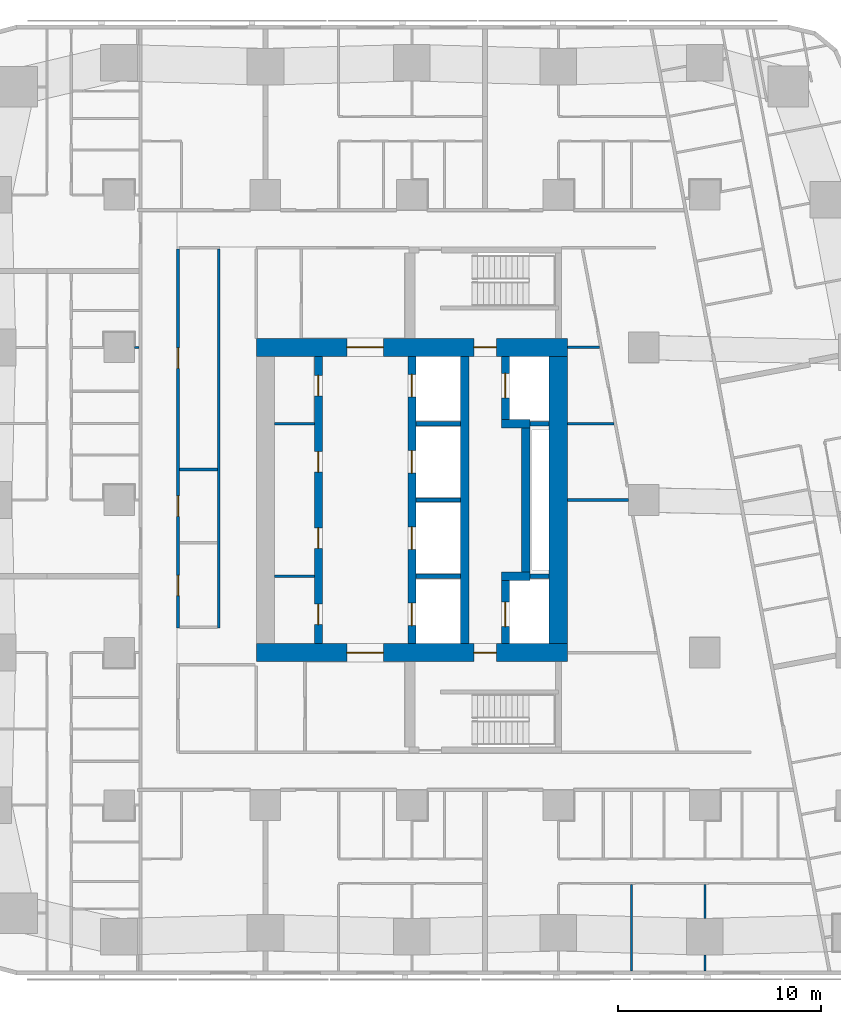
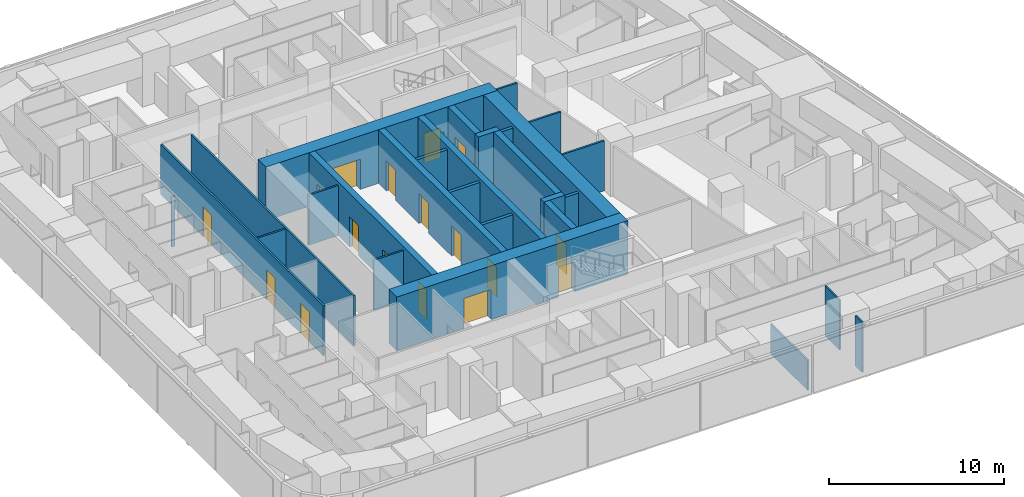
# One storey, part 5 of 15: 28 walls, 17 doors, 17 openings.
"""IFC4 building model written with IfcOpenShell, lengths in metres."""

from ifc_helpers import new_model, si_unit, direction, frame, frame_2d, origin, place, context, subcontext, project, spatial, rectangle, extrude, material, layer, layer_set, type_object, element, fill, save


model = new_model("IFC4")

# Units and contexts
model_context = context("Model", 3, precision=1e-05, world=origin(), true_north=direction((0.0, 1.0)))
body_context = subcontext(model_context, "Body", "Model", "MODEL_VIEW")
ifc_project = project(units=[si_unit("LENGTHUNIT", "METRE"), si_unit("AREAUNIT", "SQUARE_METRE"), si_unit("VOLUMEUNIT", "CUBIC_METRE"), si_unit("PLANEANGLEUNIT", "RADIAN"), si_unit("MASSUNIT", "GRAM", prefix="KILO")], contexts=[model_context])

# Site, building, storey
site_placement = place(None, origin())
site = spatial("IfcSite", under=ifc_project, at=site_placement, CompositionType="ELEMENT")
building_placement = place(site_placement, origin())
building = spatial("IfcBuilding", under=site, at=building_placement, Name="Sheger Commons Tower", CompositionType="ELEMENT")
storey_placement = place(building_placement, frame((0.0, 0.0, 147.050048828125)))
storey = spatial("IfcBuildingStorey", under=building, at=storey_placement, Name="L37", CompositionType="ELEMENT", Elevation=147.050048828125)

# Wall, openings, doors
ifc_material_1 = material(Name="Concrete C50/60", Category="concrete")
ifc_layer_1 = layer(ifc_material_1, 0.39990234375)
ifc_layer_set_1 = layer_set([ifc_layer_1], Name="CORE INNER WALL 400")
wall_type_1 = type_object("IfcWallType", Name="CORE INNER WALL 400", PredefinedType="SHEAR", material=ifc_layer_set_1)
wall_1_placement = place(storey_placement, frame((17.0, 15.449951171875, 0.0), z_axis=(0.0, 0.0, 1.0), x_axis=(0.0, 1.0, 0.0)))
wall_1 = element("IfcWall", 1, at=wall_1_placement, inside=storey, type_object=wall_type_1, Name="Core inner wall A L37", PredefinedType="SHEAR", context=body_context, shape_type="SweptSolid", body=[
    extrude(rectangle(XDim=14.10009765625, YDim=0.39990234375, at=frame_2d((7.050048828125, 0.0))), origin(), (0.0, 0.0, 1.0), 3.75),
])
opening_1_placement = place(wall_1_placement, frame((0.925048828125, 0.0, 0.0)))
opening_1 = element("IfcOpeningElement", 2, at=opening_1_placement, cuts=wall_1, Name="Opening D4", PredefinedType="OPENING", context=body_context, shape_type="SweptSolid", body=[
    extrude(rectangle(XDim=1.0, YDim=2.10009765625, at=frame_2d((0.5, 1.050048828125))), frame((0.0, 0.2099609375, 0.0), z_axis=(0.0, -1.0, 0.0), x_axis=(1.0, 0.0, 0.0)), (0.0, 0.0, 1.0), 0.419921875),
])
opening_2_placement = place(wall_1_placement, frame((4.675048828125, 0.0, 0.0)))
opening_2 = element("IfcOpeningElement", 3, at=opening_2_placement, cuts=wall_1, Name="Opening D4", PredefinedType="OPENING", context=body_context, shape_type="SweptSolid", body=[
    extrude(rectangle(XDim=1.0, YDim=2.10009765625, at=frame_2d((0.5, 1.050048828125))), frame((0.0, 0.2099609375, 0.0), z_axis=(0.0, -1.0, 0.0), x_axis=(1.0, 0.0, 0.0)), (0.0, 0.0, 1.0), 0.419921875),
])
opening_3_placement = place(wall_1_placement, frame((8.425048828125, 0.0, 0.0)))
opening_3 = element("IfcOpeningElement", 4, at=opening_3_placement, cuts=wall_1, Name="Opening D4", PredefinedType="OPENING", context=body_context, shape_type="SweptSolid", body=[
    extrude(rectangle(XDim=1.0, YDim=2.10009765625, at=frame_2d((0.5, 1.050048828125))), frame((0.0, 0.2099609375, 0.0), z_axis=(0.0, -1.0, 0.0), x_axis=(1.0, 0.0, 0.0)), (0.0, 0.0, 1.0), 0.419921875),
])
opening_4_placement = place(wall_1_placement, frame((12.175048828125, 0.0, 0.0)))
opening_4 = element("IfcOpeningElement", 5, at=opening_4_placement, cuts=wall_1, Name="Opening D4", PredefinedType="OPENING", context=body_context, shape_type="SweptSolid", body=[
    extrude(rectangle(XDim=1.0, YDim=2.10009765625, at=frame_2d((0.5, 1.050048828125))), frame((0.0, 0.2099609375, 0.0), z_axis=(0.0, -1.0, 0.0), x_axis=(1.0, 0.0, 0.0)), (0.0, 0.0, 1.0), 0.419921875),
])
ifc_material_2 = material(Name="Steel door set, fire rated", Category="steel")
door_type_1 = type_object("IfcDoorType", Name="SERVICE DOOR 1000x2100", OperationType="NOTDEFINED", PredefinedType="DOOR", material=ifc_material_2)
door_1_placement = place(opening_1_placement, origin())
door_1 = element("IfcDoor", 6, at=door_1_placement, inside=storey, type_object=door_type_1, Name="Estate store door", OperationType="SINGLE_SWING_LEFT", OverallHeight=2.10009765625, OverallWidth=1.0, PredefinedType="DOOR", context=body_context, shape_type="SweptSolid", body=[
    extrude(rectangle(XDim=1.0, YDim=2.10009765625, at=frame_2d((0.5, 1.050048828125))), frame((0.0, 0.02490234375, 0.0), z_axis=(0.0, -1.0, 0.0), x_axis=(1.0, 0.0, 0.0)), (0.0, 0.0, 1.0), 0.050048828125),
])
fill(opening_1, door_1)
door_2_placement = place(opening_2_placement, origin())
door_2 = element("IfcDoor", 7, at=door_2_placement, inside=storey, type_object=door_type_1, Name="Bulky waste store door", OperationType="SINGLE_SWING_LEFT", OverallHeight=2.10009765625, OverallWidth=1.0, PredefinedType="DOOR", context=body_context, shape_type="SweptSolid", body=[
    extrude(rectangle(XDim=1.0, YDim=2.10009765625, at=frame_2d((0.5, 1.050048828125))), frame((0.0, 0.02490234375, 0.0), z_axis=(0.0, -1.0, 0.0), x_axis=(1.0, 0.0, 0.0)), (0.0, 0.0, 1.0), 0.050048828125),
])
fill(opening_2, door_2)
door_3_placement = place(opening_3_placement, origin())
door_3 = element("IfcDoor", 8, at=door_3_placement, inside=storey, type_object=door_type_1, Name="Bulky waste store door", OperationType="SINGLE_SWING_RIGHT", OverallHeight=2.10009765625, OverallWidth=1.0, PredefinedType="DOOR", context=body_context, shape_type="SweptSolid", body=[
    extrude(rectangle(XDim=1.0, YDim=2.10009765625, at=frame_2d((0.5, 1.050048828125))), frame((0.0, 0.02490234375, 0.0), z_axis=(0.0, -1.0, 0.0), x_axis=(1.0, 0.0, 0.0)), (0.0, 0.0, 1.0), 0.050048828125),
])
fill(opening_3, door_3)
door_4_placement = place(opening_4_placement, origin())
door_4 = element("IfcDoor", 9, at=door_4_placement, inside=storey, type_object=door_type_1, Name="Staff WC door", OperationType="SINGLE_SWING_RIGHT", OverallHeight=2.10009765625, OverallWidth=1.0, PredefinedType="DOOR", context=body_context, shape_type="SweptSolid", body=[
    extrude(rectangle(XDim=1.0, YDim=2.10009765625, at=frame_2d((0.5, 1.050048828125))), frame((0.0, 0.02490234375, 0.0), z_axis=(0.0, -1.0, 0.0), x_axis=(1.0, 0.0, 0.0)), (0.0, 0.0, 1.0), 0.050048828125),
])
fill(opening_4, door_4)

wall_2_placement = place(storey_placement, frame((21.60009765625, 15.449951171875, 0.0), z_axis=(0.0, 0.0, 1.0), x_axis=(0.0, 1.0, 0.0)))
wall_2 = element("IfcWall", 10, at=wall_2_placement, inside=storey, type_object=wall_type_1, Name="Core inner wall L L37", PredefinedType="SHEAR", context=body_context, shape_type="SweptSolid", body=[
    extrude(rectangle(XDim=14.10009765625, YDim=0.39990234375, at=frame_2d((7.050048828125, 0.0))), origin(), (0.0, 0.0, 1.0), 3.75),
])
opening_5_placement = place(wall_2_placement, frame((0.875, 0.0, 0.0)))
opening_5 = element("IfcOpeningElement", 11, at=opening_5_placement, cuts=wall_2, Name="Opening LD", PredefinedType="OPENING", context=body_context, shape_type="SweptSolid", body=[
    extrude(rectangle(XDim=1.10009765625, YDim=2.10009765625, at=frame_2d((0.550048828125, 1.050048828125))), frame((0.0, 0.2099609375, 0.0), z_axis=(0.0, -1.0, 0.0), x_axis=(1.0, 0.0, 0.0)), (0.0, 0.0, 1.0), 0.419921875),
])
opening_6_placement = place(wall_2_placement, frame((4.625, 0.0, 0.0)))
opening_6 = element("IfcOpeningElement", 12, at=opening_6_placement, cuts=wall_2, Name="Opening LD", PredefinedType="OPENING", context=body_context, shape_type="SweptSolid", body=[
    extrude(rectangle(XDim=1.10009765625, YDim=2.10009765625, at=frame_2d((0.550048828125, 1.050048828125))), frame((0.0, 0.2099609375, 0.0), z_axis=(0.0, -1.0, 0.0), x_axis=(1.0, 0.0, 0.0)), (0.0, 0.0, 1.0), 0.419921875),
])
opening_7_placement = place(wall_2_placement, frame((8.375, 0.0, 0.0)))
opening_7 = element("IfcOpeningElement", 13, at=opening_7_placement, cuts=wall_2, Name="Opening LD", PredefinedType="OPENING", context=body_context, shape_type="SweptSolid", body=[
    extrude(rectangle(XDim=1.10009765625, YDim=2.10009765625, at=frame_2d((0.550048828125, 1.050048828125))), frame((0.0, 0.2099609375, 0.0), z_axis=(0.0, -1.0, 0.0), x_axis=(1.0, 0.0, 0.0)), (0.0, 0.0, 1.0), 0.419921875),
])
opening_8_placement = place(wall_2_placement, frame((12.125, 0.0, 0.0)))
opening_8 = element("IfcOpeningElement", 14, at=opening_8_placement, cuts=wall_2, Name="Opening LD", PredefinedType="OPENING", context=body_context, shape_type="SweptSolid", body=[
    extrude(rectangle(XDim=1.10009765625, YDim=2.10009765625, at=frame_2d((0.550048828125, 1.050048828125))), frame((0.0, 0.2099609375, 0.0), z_axis=(0.0, -1.0, 0.0), x_axis=(1.0, 0.0, 0.0)), (0.0, 0.0, 1.0), 0.419921875),
])
ifc_material_3 = material(Name="Steel door set, fire rated", Category="steel")
door_type_2 = type_object("IfcDoorType", Name="LIFT LANDING DOOR 1100x2100", OperationType="DOUBLE_DOOR_SLIDING", PredefinedType="DOOR", material=ifc_material_3)
door_5_placement = place(opening_5_placement, origin())
door_5 = element("IfcDoor", 15, at=door_5_placement, inside=storey, type_object=door_type_2, Name="Lift LB1 landing door", OperationType="DOUBLE_DOOR_SLIDING", OverallHeight=2.10009765625, OverallWidth=1.10009765625, PredefinedType="DOOR", context=body_context, shape_type="SweptSolid", body=[
    extrude(rectangle(XDim=1.10009765625, YDim=2.10009765625, at=frame_2d((0.550048828125, 1.050048828125))), frame((0.0, 0.02490234375, 0.0), z_axis=(0.0, -1.0, 0.0), x_axis=(1.0, 0.0, 0.0)), (0.0, 0.0, 1.0), 0.050048828125),
])
fill(opening_5, door_5)
door_6_placement = place(opening_6_placement, origin())
door_6 = element("IfcDoor", 16, at=door_6_placement, inside=storey, type_object=door_type_2, Name="Lift LB2 landing door", OperationType="DOUBLE_DOOR_SLIDING", OverallHeight=2.10009765625, OverallWidth=1.10009765625, PredefinedType="DOOR", context=body_context, shape_type="SweptSolid", body=[
    extrude(rectangle(XDim=1.10009765625, YDim=2.10009765625, at=frame_2d((0.550048828125, 1.050048828125))), frame((0.0, 0.02490234375, 0.0), z_axis=(0.0, -1.0, 0.0), x_axis=(1.0, 0.0, 0.0)), (0.0, 0.0, 1.0), 0.050048828125),
])
fill(opening_6, door_6)
door_7_placement = place(opening_7_placement, origin())
door_7 = element("IfcDoor", 17, at=door_7_placement, inside=storey, type_object=door_type_2, Name="Lift LB3 landing door", OperationType="DOUBLE_DOOR_SLIDING", OverallHeight=2.10009765625, OverallWidth=1.10009765625, PredefinedType="DOOR", context=body_context, shape_type="SweptSolid", body=[
    extrude(rectangle(XDim=1.10009765625, YDim=2.10009765625, at=frame_2d((0.550048828125, 1.050048828125))), frame((0.0, 0.02490234375, 0.0), z_axis=(0.0, -1.0, 0.0), x_axis=(1.0, 0.0, 0.0)), (0.0, 0.0, 1.0), 0.050048828125),
])
fill(opening_7, door_7)
door_8_placement = place(opening_8_placement, origin())
door_8 = element("IfcDoor", 18, at=door_8_placement, inside=storey, type_object=door_type_2, Name="Lift LB4 landing door", OperationType="DOUBLE_DOOR_SLIDING", OverallHeight=2.10009765625, OverallWidth=1.10009765625, PredefinedType="DOOR", context=body_context, shape_type="SweptSolid", body=[
    extrude(rectangle(XDim=1.10009765625, YDim=2.10009765625, at=frame_2d((0.550048828125, 1.050048828125))), frame((0.0, 0.02490234375, 0.0), z_axis=(0.0, -1.0, 0.0), x_axis=(1.0, 0.0, 0.0)), (0.0, 0.0, 1.0), 0.050048828125),
])
fill(opening_8, door_8)

# Wall
wall_3_placement = place(storey_placement, frame((24.199951171875, 15.449951171875, 0.0), z_axis=(0.0, 0.0, 1.0), x_axis=(0.0, 1.0, 0.0)))
element("IfcWall", 19, at=wall_3_placement, inside=storey, type_object=wall_type_1, Name="Core inner wall B L37", PredefinedType="SHEAR", context=body_context, shape_type="SweptSolid", body=[
    extrude(rectangle(XDim=14.10009765625, YDim=0.39990234375, at=frame_2d((7.050048828125, 0.0))), origin(), (0.0, 0.0, 1.0), 3.75),
])

# Wall, opening, door
wall_4_placement = place(storey_placement, frame((26.199951171875, 15.449951171875, 0.0), z_axis=(0.0, 0.0, 1.0), x_axis=(0.0, 1.0, 0.0)))
wall_4 = element("IfcWall", 20, at=wall_4_placement, inside=storey, type_object=wall_type_1, Name="Core inner wall F L37", PredefinedType="SHEAR", context=body_context, shape_type="SweptSolid", body=[
    extrude(rectangle(XDim=3.10009765625, YDim=0.39990234375, at=frame_2d((1.550048828125, 0.0))), origin(), (0.0, 0.0, 1.0), 3.75),
])
opening_9_placement = place(wall_4_placement, frame((0.824951171875, 0.0, 0.0)))
opening_9 = element("IfcOpeningElement", 21, at=opening_9_placement, cuts=wall_4, Name="Opening LD2", PredefinedType="OPENING", context=body_context, shape_type="SweptSolid", body=[
    extrude(rectangle(XDim=1.199951171875, YDim=2.10009765625, at=frame_2d((0.60009765625, 1.050048828125))), frame((0.0, 0.2099609375, 0.0), z_axis=(0.0, -1.0, 0.0), x_axis=(1.0, 0.0, 0.0)), (0.0, 0.0, 1.0), 0.419921875),
])
ifc_material_4 = material(Name="Steel door set, fire rated", Category="steel")
door_type_3 = type_object("IfcDoorType", Name="FIREFIGHTING LIFT LANDING DOOR 1200x2100", OperationType="DOUBLE_DOOR_SLIDING", PredefinedType="DOOR", material=ifc_material_4)
door_9_placement = place(opening_9_placement, origin())
door_9 = element("IfcDoor", 22, at=door_9_placement, inside=storey, type_object=door_type_3, Name="Lift FL1 landing door", OperationType="DOUBLE_DOOR_SLIDING", OverallHeight=2.10009765625, OverallWidth=1.199951171875, PredefinedType="DOOR", context=body_context, shape_type="SweptSolid", body=[
    extrude(rectangle(XDim=1.199951171875, YDim=2.10009765625, at=frame_2d((0.60009765625, 1.050048828125))), frame((0.0, 0.02490234375, 0.0), z_axis=(0.0, -1.0, 0.0), x_axis=(1.0, 0.0, 0.0)), (0.0, 0.0, 1.0), 0.050048828125),
])
fill(opening_9, door_9)

# Walls
wall_5_placement = place(storey_placement, frame((26.0, 18.75, 0.0), z_axis=(0.0, 0.0, 1.0), x_axis=(1.0, 0.0, 0.0)))
element("IfcWall", 23, at=wall_5_placement, inside=storey, type_object=wall_type_1, Name="Core inner wall F south return L37", PredefinedType="SHEAR", context=body_context, shape_type="SweptSolid", body=[
    extrude(rectangle(XDim=1.39990234375, YDim=0.39990234375, at=frame_2d((0.699951171875, 0.0))), origin(), (0.0, 0.0, 1.0), 3.75),
])
wall_6_placement = place(storey_placement, frame((27.199951171875, 18.949951171875, 0.0), z_axis=(0.0, 0.0, 1.0), x_axis=(0.0, 1.0, 0.0)))
element("IfcWall", 24, at=wall_6_placement, inside=storey, type_object=wall_type_1, Name="Core inner wall F middle L37", PredefinedType="SHEAR", context=body_context, shape_type="SweptSolid", body=[
    extrude(rectangle(XDim=7.10009765625, YDim=0.39990234375, at=frame_2d((3.550048828125, 0.0))), origin(), (0.0, 0.0, 1.0), 3.75),
])
wall_7_placement = place(storey_placement, frame((26.0, 26.25, 0.0), z_axis=(0.0, 0.0, 1.0), x_axis=(1.0, 0.0, 0.0)))
element("IfcWall", 25, at=wall_7_placement, inside=storey, type_object=wall_type_1, Name="Core inner wall F north return L37", PredefinedType="SHEAR", context=body_context, shape_type="SweptSolid", body=[
    extrude(rectangle(XDim=1.39990234375, YDim=0.39990234375, at=frame_2d((0.699951171875, 0.0))), origin(), (0.0, 0.0, 1.0), 3.75),
])

# Wall, opening, door
wall_8_placement = place(storey_placement, frame((26.199951171875, 26.449951171875, 0.0), z_axis=(0.0, 0.0, 1.0), x_axis=(0.0, 1.0, 0.0)))
wall_8 = element("IfcWall", 26, at=wall_8_placement, inside=storey, type_object=wall_type_1, Name="Core inner wall F north L37", PredefinedType="SHEAR", context=body_context, shape_type="SweptSolid", body=[
    extrude(rectangle(XDim=3.10009765625, YDim=0.39990234375, at=frame_2d((1.550048828125, 0.0))), origin(), (0.0, 0.0, 1.0), 3.75),
])
opening_10_placement = place(wall_8_placement, frame((1.074951171875, 0.0, 0.0)))
opening_10 = element("IfcOpeningElement", 27, at=opening_10_placement, cuts=wall_8, Name="Opening LD2", PredefinedType="OPENING", context=body_context, shape_type="SweptSolid", body=[
    extrude(rectangle(XDim=1.199951171875, YDim=2.10009765625, at=frame_2d((0.60009765625, 1.050048828125))), frame((0.0, 0.2099609375, 0.0), z_axis=(0.0, -1.0, 0.0), x_axis=(1.0, 0.0, 0.0)), (0.0, 0.0, 1.0), 0.419921875),
])
door_10_placement = place(opening_10_placement, origin())
door_10 = element("IfcDoor", 28, at=door_10_placement, inside=storey, type_object=door_type_3, Name="Lift FL2 landing door", OperationType="DOUBLE_DOOR_SLIDING", OverallHeight=2.10009765625, OverallWidth=1.199951171875, PredefinedType="DOOR", context=body_context, shape_type="SweptSolid", body=[
    extrude(rectangle(XDim=1.199951171875, YDim=2.10009765625, at=frame_2d((0.60009765625, 1.050048828125))), frame((0.0, 0.02490234375, 0.0), z_axis=(0.0, -1.0, 0.0), x_axis=(1.0, 0.0, 0.0)), (0.0, 0.0, 1.0), 0.050048828125),
])
fill(opening_10, door_10)

# Wall, openings, doors
ifc_material_5 = material(Name="Concrete C50/60", Category="concrete")
ifc_layer_2 = layer(ifc_material_5, 0.89990234375)
ifc_layer_set_2 = layer_set([ifc_layer_2], Name="CORE WALL 900")
wall_type_2 = type_object("IfcWallType", Name="CORE WALL 900", PredefinedType="SHEAR", material=ifc_layer_set_2)
wall_9_placement = place(storey_placement, frame((13.949951171875, 15.0, 0.0), z_axis=(0.0, 0.0, 1.0), x_axis=(1.0, 0.0, 0.0)))
wall_9 = element("IfcWall", 29, at=wall_9_placement, inside=storey, type_object=wall_type_2, Name="Core wall south L37", PredefinedType="SHEAR", context=body_context, shape_type="SweptSolid", body=[
    extrude(rectangle(XDim=15.300048828125, YDim=0.89990234375, at=frame_2d((7.64990234375, 0.0))), origin(), (0.0, 0.0, 1.0), 3.75),
])
opening_11_placement = place(wall_9_placement, frame((4.449951171875, 0.0, 0.0)))
opening_11 = element("IfcOpeningElement", 30, at=opening_11_placement, cuts=wall_9, Name="Opening D6", PredefinedType="OPENING", context=body_context, shape_type="SweptSolid", body=[
    extrude(rectangle(XDim=1.800048828125, YDim=2.10009765625, at=frame_2d((0.89990234375, 1.050048828125))), frame((0.0, 0.4599609375, 0.0), z_axis=(0.0, -1.0, 0.0), x_axis=(1.0, 0.0, 0.0)), (0.0, 0.0, 1.0), 0.919921875),
])
opening_12_placement = place(wall_9_placement, frame((10.699951171875, 0.0, 0.0)))
opening_12 = element("IfcOpeningElement", 31, at=opening_12_placement, cuts=wall_9, Name="Opening D5", PredefinedType="OPENING", context=body_context, shape_type="SweptSolid", body=[
    extrude(rectangle(XDim=1.10009765625, YDim=2.10009765625, at=frame_2d((0.550048828125, 1.050048828125))), frame((0.0, 0.4599609375, 0.0), z_axis=(0.0, -1.0, 0.0), x_axis=(1.0, 0.0, 0.0)), (0.0, 0.0, 1.0), 0.919921875),
])
ifc_material_6 = material(Name="Steel door set, fire rated", Category="steel")
door_type_4 = type_object("IfcDoorType", Name="LOBBY DOUBLE DOOR 1800x2100", OperationType="DOUBLE_DOOR_SINGLE_SWING", PredefinedType="DOOR", material=ifc_material_6)
door_11_placement = place(opening_11_placement, origin())
door_11 = element("IfcDoor", 32, at=door_11_placement, inside=storey, type_object=door_type_4, Name="Lift lobby door", OperationType="DOUBLE_DOOR_SINGLE_SWING", OverallHeight=2.10009765625, OverallWidth=1.800048828125, PredefinedType="DOOR", context=body_context, shape_type="SweptSolid", body=[
    extrude(rectangle(XDim=1.800048828125, YDim=2.10009765625, at=frame_2d((0.89990234375, 1.050048828125))), frame((0.0, 0.02490234375, 0.0), z_axis=(0.0, -1.0, 0.0), x_axis=(1.0, 0.0, 0.0)), (0.0, 0.0, 1.0), 0.050048828125),
])
fill(opening_11, door_11)
ifc_material_7 = material(Name="Steel door set, fire rated", Category="steel")
door_type_5 = type_object("IfcDoorType", Name="STAIR DOOR 1100x2100", OperationType="NOTDEFINED", PredefinedType="DOOR", material=ifc_material_7)
door_12_placement = place(opening_12_placement, origin())
door_12 = element("IfcDoor", 33, at=door_12_placement, inside=storey, type_object=door_type_5, Name="Fire-fighting lobby door", OperationType="SINGLE_SWING_RIGHT", OverallHeight=2.10009765625, OverallWidth=1.10009765625, PredefinedType="DOOR", context=body_context, shape_type="SweptSolid", body=[
    extrude(rectangle(XDim=1.10009765625, YDim=2.10009765625, at=frame_2d((0.550048828125, 1.050048828125))), frame((0.0, 0.02490234375, 0.0), z_axis=(0.0, -1.0, 0.0), x_axis=(1.0, 0.0, 0.0)), (0.0, 0.0, 1.0), 0.050048828125),
])
fill(opening_12, door_12)

wall_10_placement = place(storey_placement, frame((13.949951171875, 30.0, 0.0), z_axis=(0.0, 0.0, 1.0), x_axis=(1.0, 0.0, 0.0)))
wall_10 = element("IfcWall", 34, at=wall_10_placement, inside=storey, type_object=wall_type_2, Name="Core wall north L37", PredefinedType="SHEAR", context=body_context, shape_type="SweptSolid", body=[
    extrude(rectangle(XDim=15.300048828125, YDim=0.89990234375, at=frame_2d((7.64990234375, 0.0))), origin(), (0.0, 0.0, 1.0), 3.75),
])
opening_13_placement = place(wall_10_placement, frame((4.449951171875, 0.0, 0.0)))
opening_13 = element("IfcOpeningElement", 35, at=opening_13_placement, cuts=wall_10, Name="Opening D6", PredefinedType="OPENING", context=body_context, shape_type="SweptSolid", body=[
    extrude(rectangle(XDim=1.800048828125, YDim=2.10009765625, at=frame_2d((0.89990234375, 1.050048828125))), frame((0.0, 0.4599609375, 0.0), z_axis=(0.0, -1.0, 0.0), x_axis=(1.0, 0.0, 0.0)), (0.0, 0.0, 1.0), 0.919921875),
])
opening_14_placement = place(wall_10_placement, frame((10.699951171875, 0.0, 0.0)))
opening_14 = element("IfcOpeningElement", 36, at=opening_14_placement, cuts=wall_10, Name="Opening D5", PredefinedType="OPENING", context=body_context, shape_type="SweptSolid", body=[
    extrude(rectangle(XDim=1.10009765625, YDim=2.10009765625, at=frame_2d((0.550048828125, 1.050048828125))), frame((0.0, 0.4599609375, 0.0), z_axis=(0.0, -1.0, 0.0), x_axis=(1.0, 0.0, 0.0)), (0.0, 0.0, 1.0), 0.919921875),
])
door_13_placement = place(opening_13_placement, origin())
door_13 = element("IfcDoor", 37, at=door_13_placement, inside=storey, type_object=door_type_4, Name="Lift lobby door", OperationType="DOUBLE_DOOR_SINGLE_SWING", OverallHeight=2.10009765625, OverallWidth=1.800048828125, PredefinedType="DOOR", context=body_context, shape_type="SweptSolid", body=[
    extrude(rectangle(XDim=1.800048828125, YDim=2.10009765625, at=frame_2d((0.89990234375, 1.050048828125))), frame((0.0, 0.02490234375, 0.0), z_axis=(0.0, -1.0, 0.0), x_axis=(1.0, 0.0, 0.0)), (0.0, 0.0, 1.0), 0.050048828125),
])
fill(opening_13, door_13)
door_14_placement = place(opening_14_placement, origin())
door_14 = element("IfcDoor", 38, at=door_14_placement, inside=storey, type_object=door_type_5, Name="Fire-fighting lobby door", OperationType="SINGLE_SWING_RIGHT", OverallHeight=2.10009765625, OverallWidth=1.10009765625, PredefinedType="DOOR", context=body_context, shape_type="SweptSolid", body=[
    extrude(rectangle(XDim=1.10009765625, YDim=2.10009765625, at=frame_2d((0.550048828125, 1.050048828125))), frame((0.0, 0.02490234375, 0.0), z_axis=(0.0, -1.0, 0.0), x_axis=(1.0, 0.0, 0.0)), (0.0, 0.0, 1.0), 0.050048828125),
])
fill(opening_14, door_14)

# Walls
wall_11_placement = place(storey_placement, frame((28.800048828125, 15.449951171875, 0.0), z_axis=(0.0, 0.0, 1.0), x_axis=(0.0, 1.0, 0.0)))
element("IfcWall", 39, at=wall_11_placement, inside=storey, type_object=wall_type_2, Name="Core wall east L37", PredefinedType="SHEAR", context=body_context, shape_type="SweptSolid", body=[
    extrude(rectangle(XDim=14.10009765625, YDim=0.89990234375, at=frame_2d((7.050048828125, 0.0))), origin(), (0.0, 0.0, 1.0), 3.75),
])
ifc_material_8 = material(Name="Gypsum board on steel studs", Category="steel")
ifc_layer_3 = layer(ifc_material_8, 0.10009765625)
ifc_layer_set_3 = layer_set([ifc_layer_3], Name="PARTITION 100")
wall_type_3 = type_object("IfcWallType", Name="PARTITION 100", PredefinedType="PARTITIONING", material=ifc_layer_set_3)
wall_12_placement = place(storey_placement, frame((7.950927734375, 30.0, 0.0), z_axis=(0.0, 0.0, 1.0), x_axis=(1.0, 0.0, 0.0)))
element("IfcWall", 40, at=wall_12_placement, inside=storey, type_object=wall_type_3, Name="Partition L37", PredefinedType="PARTITIONING", context=body_context, shape_type="SweptSolid", body=[
    extrude(rectangle(XDim=0.22412109375, YDim=0.10009765625, at=frame_2d((0.112060546875, 0.0))), origin(), (0.0, 0.0, 1.0), 3.5),
])
wall_13_placement = place(storey_placement, frame((32.39990234375, -0.64990234375, 0.0), z_axis=(0.0, 0.0, 1.0), x_axis=(0.0, 1.0, 0.0)))
element("IfcWall", 41, at=wall_13_placement, inside=storey, type_object=wall_type_3, Name="Partition L37", PredefinedType="PARTITIONING", context=body_context, shape_type="SweptSolid", body=[
    extrude(rectangle(XDim=4.25, YDim=0.10009765625, at=frame_2d((2.125, 0.0))), origin(), (0.0, 0.0, 1.0), 2.099853515625),
])
wall_14_placement = place(storey_placement, frame((36.0, -0.64990234375, 0.0), z_axis=(0.0, 0.0, 1.0), x_axis=(0.0, 1.0, 0.0)))
element("IfcWall", 42, at=wall_14_placement, inside=storey, type_object=wall_type_3, Name="Partition L37", PredefinedType="PARTITIONING", context=body_context, shape_type="SweptSolid", body=[
    extrude(rectangle(XDim=0.77392578125, YDim=0.10009765625, at=frame_2d((0.386962890625, 0.0))), origin(), (0.0, 0.0, 1.0), 3.5),
])
wall_15_placement = place(storey_placement, frame((36.0, 1.926025390625, 0.0), z_axis=(0.0, 0.0, 1.0), x_axis=(0.0, 1.0, 0.0)))
element("IfcWall", 43, at=wall_15_placement, inside=storey, type_object=wall_type_3, Name="Partition L37", PredefinedType="PARTITIONING", context=body_context, shape_type="SweptSolid", body=[
    extrude(rectangle(XDim=1.674072265625, YDim=0.10009765625, at=frame_2d((0.8369140625, 0.0))), origin(), (0.0, 0.0, 1.0), 3.5),
])

# Wall, openings, doors
ifc_material_9 = material(Name="Gypsum board on steel studs, two layers each side, fire rated", Category="steel")
ifc_layer_4 = layer(ifc_material_9, 0.125)
ifc_layer_set_4 = layer_set([ifc_layer_4], Name="SERVICE WALL 125")
wall_type_4 = type_object("IfcWallType", Name="SERVICE WALL 125", PredefinedType="PARTITIONING", material=ifc_layer_set_4)
wall_16_placement = place(storey_placement, frame((10.10009765625, 16.199951171875, 0.0), z_axis=(0.0, 0.0, 1.0), x_axis=(0.0, 1.0, 0.0)))
wall_16 = element("IfcWall", 44, at=wall_16_placement, inside=storey, type_object=wall_type_4, Name="Service room wall L37", PredefinedType="PARTITIONING", context=body_context, shape_type="SweptSolid", body=[
    extrude(rectangle(XDim=18.637939453125, YDim=0.125, at=frame_2d((9.31884765625, 0.0))), origin(), (0.0, 0.0, 1.0), 3.5),
])
opening_15_placement = place(wall_16_placement, frame((1.60009765625, 0.0, 0.0)))
opening_15 = element("IfcOpeningElement", 45, at=opening_15_placement, cuts=wall_16, Name="Opening D4", PredefinedType="OPENING", context=body_context, shape_type="SweptSolid", body=[
    extrude(rectangle(XDim=1.0, YDim=2.10009765625, at=frame_2d((0.5, 1.050048828125))), frame((0.0, 0.072509765625, 0.0), z_axis=(0.0, -1.0, 0.0), x_axis=(1.0, 0.0, 0.0)), (0.0, 0.0, 1.0), 0.14501953125),
])
opening_16_placement = place(wall_16_placement, frame((5.5, 0.0, 0.0)))
opening_16 = element("IfcOpeningElement", 46, at=opening_16_placement, cuts=wall_16, Name="Opening D4", PredefinedType="OPENING", context=body_context, shape_type="SweptSolid", body=[
    extrude(rectangle(XDim=1.0, YDim=2.10009765625, at=frame_2d((0.5, 1.050048828125))), frame((0.0, 0.072509765625, 0.0), z_axis=(0.0, -1.0, 0.0), x_axis=(1.0, 0.0, 0.0)), (0.0, 0.0, 1.0), 0.14501953125),
])
opening_17_placement = place(wall_16_placement, frame((12.77490234375, 0.0, 0.0)))
opening_17 = element("IfcOpeningElement", 47, at=opening_17_placement, cuts=wall_16, Name="Opening D4", PredefinedType="OPENING", context=body_context, shape_type="SweptSolid", body=[
    extrude(rectangle(XDim=1.0, YDim=2.10009765625, at=frame_2d((0.5, 1.050048828125))), frame((0.0, 0.072509765625, 0.0), z_axis=(0.0, -1.0, 0.0), x_axis=(1.0, 0.0, 0.0)), (0.0, 0.0, 1.0), 0.14501953125),
])
door_15_placement = place(opening_15_placement, origin())
door_15 = element("IfcDoor", 48, at=door_15_placement, inside=storey, type_object=door_type_1, Name="Bicycle and pram store door", OperationType="SINGLE_SWING_RIGHT", OverallHeight=2.10009765625, OverallWidth=1.0, PredefinedType="DOOR", context=body_context, shape_type="SweptSolid", body=[
    extrude(rectangle(XDim=1.0, YDim=2.10009765625, at=frame_2d((0.5, 1.050048828125))), frame((0.0, 0.02490234375, 0.0), z_axis=(0.0, -1.0, 0.0), x_axis=(1.0, 0.0, 0.0)), (0.0, 0.0, 1.0), 0.050048828125),
])
fill(opening_15, door_15)
door_16_placement = place(opening_16_placement, origin())
door_16 = element("IfcDoor", 49, at=door_16_placement, inside=storey, type_object=door_type_1, Name="Residents' store door", OperationType="SINGLE_SWING_RIGHT", OverallHeight=2.10009765625, OverallWidth=1.0, PredefinedType="DOOR", context=body_context, shape_type="SweptSolid", body=[
    extrude(rectangle(XDim=1.0, YDim=2.10009765625, at=frame_2d((0.5, 1.050048828125))), frame((0.0, 0.02490234375, 0.0), z_axis=(0.0, -1.0, 0.0), x_axis=(1.0, 0.0, 0.0)), (0.0, 0.0, 1.0), 0.050048828125),
])
fill(opening_16, door_16)
door_17_placement = place(opening_17_placement, origin())
door_17 = element("IfcDoor", 50, at=door_17_placement, inside=storey, type_object=door_type_1, Name="Cleaner's store door", OperationType="SINGLE_SWING_LEFT", OverallHeight=2.10009765625, OverallWidth=1.0, PredefinedType="DOOR", context=body_context, shape_type="SweptSolid", body=[
    extrude(rectangle(XDim=1.0, YDim=2.10009765625, at=frame_2d((0.5, 1.050048828125))), frame((0.0, 0.02490234375, 0.0), z_axis=(0.0, -1.0, 0.0), x_axis=(1.0, 0.0, 0.0)), (0.0, 0.0, 1.0), 0.050048828125),
])
fill(opening_17, door_17)

# Walls
wall_17_placement = place(storey_placement, frame((10.162109375, 24.0, 0.0), z_axis=(0.0, 0.0, 1.0), x_axis=(1.0, 0.0, 0.0)))
element("IfcWall", 51, at=wall_17_placement, inside=storey, type_object=wall_type_4, Name="Service room wall L37", PredefinedType="PARTITIONING", context=body_context, shape_type="SweptSolid", body=[
    extrude(rectangle(XDim=1.875, YDim=0.125, at=frame_2d((0.9375, 0.0))), origin(), (0.0, 0.0, 1.0), 3.5),
])
wall_18_placement = place(storey_placement, frame((12.10009765625, 16.199951171875, 0.0), z_axis=(0.0, 0.0, 1.0), x_axis=(0.0, 1.0, 0.0)))
element("IfcWall", 52, at=wall_18_placement, inside=storey, type_object=wall_type_4, Name="Service room wall L37", PredefinedType="PARTITIONING", context=body_context, shape_type="SweptSolid", body=[
    extrude(rectangle(XDim=18.636962890625, YDim=0.125, at=frame_2d((9.318359375, 0.0))), origin(), (0.0, 0.0, 1.0), 3.5),
])
wall_19_placement = place(storey_placement, frame((29.25, 22.5, 0.0), z_axis=(0.0, 0.0, 1.0), x_axis=(1.0, 0.0, 0.0)))
element("IfcWall", 53, at=wall_19_placement, inside=storey, type_object=wall_type_4, Name="Service room wall L37", PredefinedType="PARTITIONING", context=body_context, shape_type="SweptSolid", body=[
    extrude(rectangle(XDim=2.99609375, YDim=0.125, at=frame_2d((1.498046875, 0.0))), origin(), (0.0, 0.0, 1.0), 3.5),
])
wall_20_placement = place(storey_placement, frame((29.25, 26.25, 0.0), z_axis=(0.0, 0.0, 1.0), x_axis=(1.0, 0.0, 0.0)))
element("IfcWall", 54, at=wall_20_placement, inside=storey, type_object=wall_type_4, Name="Service room wall L37", PredefinedType="PARTITIONING", context=body_context, shape_type="SweptSolid", body=[
    extrude(rectangle(XDim=2.2880859375, YDim=0.125, at=frame_2d((1.14404296875, 0.0))), origin(), (0.0, 0.0, 1.0), 3.5),
])
wall_21_placement = place(storey_placement, frame((29.25, 30.0, 0.0), z_axis=(0.0, 0.0, 1.0), x_axis=(1.0, 0.0, 0.0)))
element("IfcWall", 55, at=wall_21_placement, inside=storey, type_object=wall_type_4, Name="Service room wall L37", PredefinedType="PARTITIONING", context=body_context, shape_type="SweptSolid", body=[
    extrude(rectangle(XDim=1.5791015625, YDim=0.125, at=frame_2d((0.78955078125, 0.0))), origin(), (0.0, 0.0, 1.0), 3.5),
])
for number, where, z_axis, x_axis, name in (
    (56, (14.85009765625, 18.75, 0.0), (0.0, 0.0, 1.0), (1.0, 0.0, 0.0), "Service room wall L37"),
    (57, (14.85009765625, 26.25, 0.0), (0.0, 0.0, 1.0), (1.0, 0.0, 0.0), "Service room wall L37"),
):
    element("IfcWall", number, at=place(storey_placement, frame(where, z_axis=z_axis, x_axis=x_axis)), inside=storey, type_object=wall_type_4, Name=name, PredefinedType="PARTITIONING", context=body_context, shape_type="SweptSolid", body=[
        extrude(rectangle(XDim=1.949951171875, YDim=0.125, at=frame_2d((0.97509765625, 0.0))), origin(), (0.0, 0.0, 1.0), 3.5),
    ])
ifc_material_10 = material(Name="Hollow concrete block masonry", Category="masonry")
ifc_layer_5 = layer(ifc_material_10, 0.199951171875)
ifc_layer_set_5 = layer_set([ifc_layer_5], Name="SHAFT WALL 200")
wall_type_5 = type_object("IfcWallType", Name="SHAFT WALL 200", PredefinedType="SOLIDWALL", material=ifc_layer_set_5)
for number, where, z_axis, x_axis, name in (
    (58, (21.800048828125, 18.75, 0.0), (0.0, 0.0, 1.0), (1.0, 0.0, 0.0), "Lift shaft wall L37"),
    (59, (21.800048828125, 22.5, 0.0), (0.0, 0.0, 1.0), (1.0, 0.0, 0.0), "Lift shaft wall L37"),
    (60, (21.800048828125, 26.25, 0.0), (0.0, 0.0, 1.0), (1.0, 0.0, 0.0), "Lift shaft wall L37"),
):
    element("IfcWall", number, at=place(storey_placement, frame(where, z_axis=z_axis, x_axis=x_axis)), inside=storey, type_object=wall_type_5, Name=name, PredefinedType="SOLIDWALL", context=body_context, shape_type="SweptSolid", body=[
        extrude(rectangle(XDim=2.199951171875, YDim=0.199951171875, at=frame_2d((1.10009765625, 0.0))), origin(), (0.0, 0.0, 1.0), 3.5),
    ])
for number, where, z_axis, x_axis, name in (
    (61, (27.39990234375, 18.75, 0.0), (0.0, 0.0, 1.0), (1.0, 0.0, 0.0), "Lift shaft wall L37"),
    (62, (27.39990234375, 26.25, 0.0), (0.0, 0.0, 1.0), (1.0, 0.0, 0.0), "Lift shaft wall L37"),
):
    element("IfcWall", number, at=place(storey_placement, frame(where, z_axis=z_axis, x_axis=x_axis)), inside=storey, type_object=wall_type_5, Name=name, PredefinedType="SOLIDWALL", context=body_context, shape_type="SweptSolid", body=[
        extrude(rectangle(XDim=0.9501953125, YDim=0.199951171875, at=frame_2d((0.47509765625, 0.0))), origin(), (0.0, 0.0, 1.0), 3.5),
    ])

save(model, "model.ifc")
